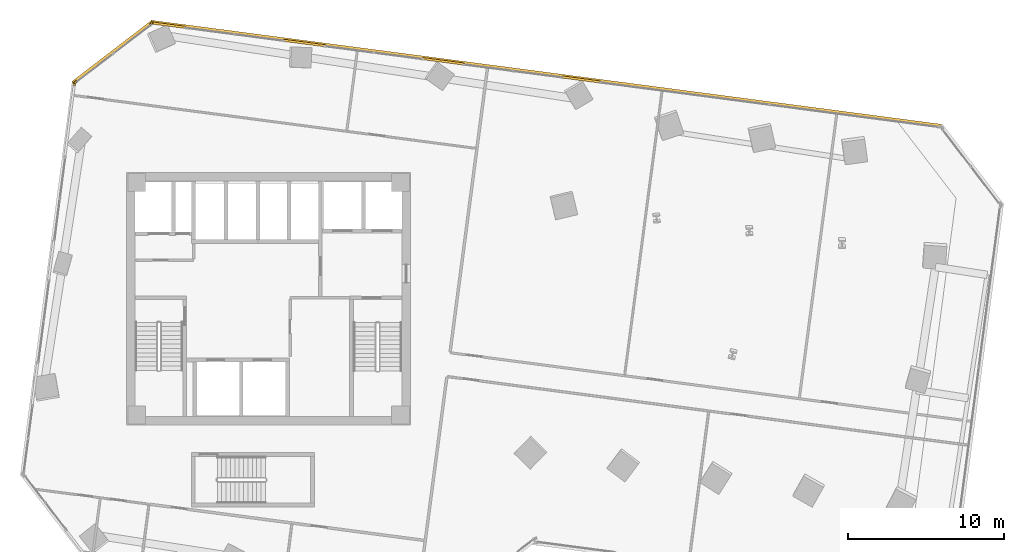
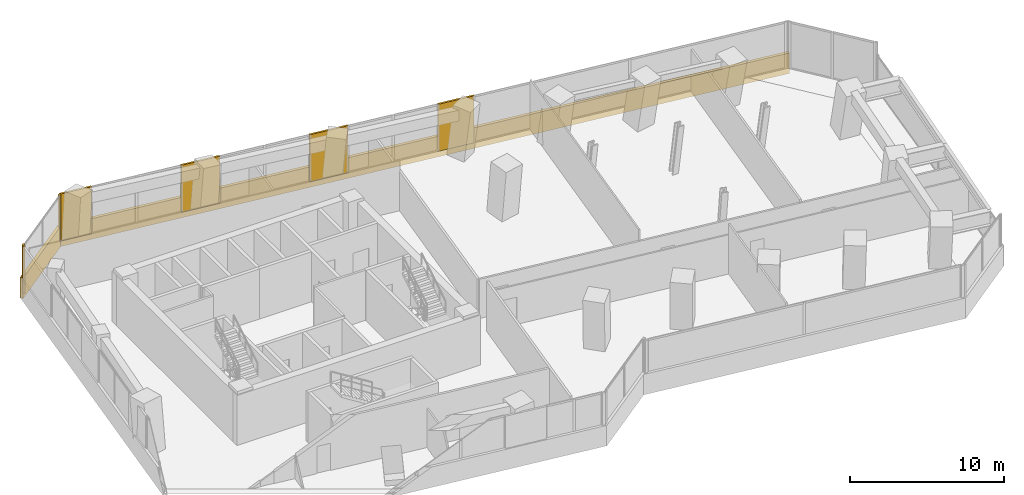
# One storey, part 24 of 24: 9 coverings.
"""IFC4 building model written with IfcOpenShell, lengths in metres."""

import ifcopenshell
import ifcopenshell.guid

model = None  # the IFC model being written
_history = None  # IfcOwnerHistory: only IFC2X3 demands one
_inside = {}  # id of a spatial element -> (the spatial element, [elements in it])
_under = {}  # id of a project, library or spatial element -> (it, [spatial elements below it])
_declared = {}  # id of a project -> (the project, [libraries it declares])
_typed = {}  # id of a type object -> (the type object, [elements of that type])
_made_of = {}  # id of a material, layer set ... -> (it, [elements and type objects made of it])


def new_model(schema):
    """Start an empty IFC model of exactly this schema.

    Asked for "IFC4X3", IfcOpenShell would pick the latest addendum, in which some entities
    have other attributes; the version numbers below select the first issue.
    IFC2X3 requires an IfcOwnerHistory on every rooted entity: one is made here for all.
    """
    global model, _history
    if schema == "IFC4X3":
        model = ifcopenshell.file(schema_version=(4, 3, 0, 0))
    else:
        model = ifcopenshell.file(schema=schema)
    _inside.clear()
    _under.clear()
    _declared.clear()
    _typed.clear()
    _made_of.clear()
    _history = None
    if model.schema == "IFC2X3":
        org = make("IfcOrganization", Name="unknown")
        user = make(
            "IfcPersonAndOrganization",
            ThePerson=make("IfcPerson", FamilyName="unknown"),
            TheOrganization=org,
        )
        app = make(
            "IfcApplication",
            ApplicationDeveloper=org,
            Version="unknown",
            ApplicationFullName="unknown",
            ApplicationIdentifier="unknown",
        )
        _history = make(
            "IfcOwnerHistory",
            OwningUser=user,
            OwningApplication=app,
            ChangeAction="ADDED",
            CreationDate=0,
        )
    return model


def make(cls, **values):
    """One entity of the class cls with the attributes given. An attribute that is None is left unset."""
    return model.create_entity(
        cls, **{name: value for name, value in values.items() if value is not None}
    )


def rooted(cls, **values):
    """An entity with a GlobalId (a new one), such as an element, a storey or a relation."""
    return make(cls, GlobalId=ifcopenshell.guid.new(), OwnerHistory=_history, **values)


def si_unit(unit_type, name, prefix=None):
    """IfcSIUnit, for example si_unit("LENGTHUNIT", "METRE", prefix="MILLI")."""
    return make("IfcSIUnit", UnitType=unit_type, Prefix=prefix, Name=name)


def assignment(units):
    """IfcUnitAssignment: the units of a project."""
    return None if units is None else make("IfcUnitAssignment", Units=units)


def point(xyz):
    """IfcCartesianPoint."""
    return None if xyz is None else make("IfcCartesianPoint", Coordinates=xyz)


def direction(xyz):
    """IfcDirection."""
    return None if xyz is None else make("IfcDirection", DirectionRatios=xyz)


def frame(location, z_axis=None, x_axis=None):
    """IfcAxis2Placement3D, a coordinate frame: its origin and axes. An axis left out is left unset."""
    return make(
        "IfcAxis2Placement3D",
        Location=point(location),
        Axis=direction(z_axis),
        RefDirection=direction(x_axis),
    )


def frame_2d(location, x_axis=None):
    """IfcAxis2Placement2D, a coordinate frame in the plane: its origin and x axis."""
    return make(
        "IfcAxis2Placement2D", Location=point(location), RefDirection=direction(x_axis)
    )


def origin():
    """The frame at (0, 0, 0) with its axes left unset."""
    return frame((0.0, 0.0, 0.0))


def origin_2d():
    """The frame at (0, 0) in the plane with its x axis left unset."""
    return frame_2d((0.0, 0.0))


def place(relative_to, where):
    """IfcLocalPlacement: puts the frame where relative to a parent placement (None: the world)."""
    return make(
        "IfcLocalPlacement", PlacementRelTo=relative_to, RelativePlacement=where
    )


def context(
    kind, dimensions, precision=None, world=None, true_north=None, identifier=None
):
    """IfcGeometricRepresentationContext, for example the 3D "Model" context."""
    return make(
        "IfcGeometricRepresentationContext",
        ContextIdentifier=identifier,
        ContextType=kind,
        CoordinateSpaceDimension=dimensions,
        Precision=precision,
        WorldCoordinateSystem=world,
        TrueNorth=true_north,
    )


def subcontext(parent, identifier, kind, view, scale=None):
    """IfcGeometricRepresentationSubContext, for example "Body" below "Model"."""
    return make(
        "IfcGeometricRepresentationSubContext",
        ContextIdentifier=identifier,
        ContextType=kind,
        ParentContext=parent,
        TargetScale=scale,
        TargetView=view,
    )


def project(units=None, contexts=None):
    """IfcProject with its units and contexts."""
    return rooted(
        "IfcProject",
        Name="project",
        RepresentationContexts=contexts,
        UnitsInContext=assignment(units),
    )


def spatial(cls, under=None, at=None, **own):
    """A site, building, storey or space (cls), placed at a placement, below another one or the project."""
    s = rooted(cls, ObjectPlacement=at, **own)
    if under is not None:
        _under.setdefault(under.id(), (under, []))[1].append(s)
    return s


def profile(cls, at=None, kind="AREA", **sizes):
    """A parametric profile (cls). Its sizes go by their IFC names, for example OverallWidth=200.0."""
    return make(cls, ProfileType=kind, Position=at, **sizes)


def rectangle(**sizes):
    """IfcRectangleProfileDef."""
    return profile("IfcRectangleProfileDef", **sizes)


def extrude(swept, where, along, depth):
    """IfcExtrudedAreaSolid: the profile swept, set in the frame where, extruded along a direction by depth."""
    return make(
        "IfcExtrudedAreaSolid",
        SweptArea=swept,
        Position=where,
        ExtrudedDirection=direction(along),
        Depth=depth,
    )


def shape(context_of_items, identifier, shape_type, items):
    """IfcShapeRepresentation: the items that make up one representation, for example the "Body"."""
    return make(
        "IfcShapeRepresentation",
        ContextOfItems=context_of_items,
        RepresentationIdentifier=identifier,
        RepresentationType=shape_type,
        Items=items,
    )


def source(mapping_origin, context_of_items, identifier, shape_type, items):
    """IfcRepresentationMap: a shape defined once, which mapped items show again and again."""
    return make(
        "IfcRepresentationMap",
        MappingOrigin=mapping_origin,
        MappedRepresentation=shape(context_of_items, identifier, shape_type, items),
    )


def transform(
    local_origin,
    x_axis=None,
    y_axis=None,
    z_axis=None,
    scale=None,
    scale2=None,
    scale3=None,
    uniform=True,
):
    """IfcCartesianTransformationOperator3D, or its non-uniform kind. x_axis, y_axis, z_axis: its Axis1, 2, 3."""
    if uniform:
        return make(
            "IfcCartesianTransformationOperator3D",
            Axis1=direction(x_axis),
            Axis2=direction(y_axis),
            LocalOrigin=point(local_origin),
            Scale=scale,
            Axis3=direction(z_axis),
        )
    return make(
        "IfcCartesianTransformationOperator3DnonUniform",
        Axis1=direction(x_axis),
        Axis2=direction(y_axis),
        LocalOrigin=point(local_origin),
        Scale=scale,
        Axis3=direction(z_axis),
        Scale2=scale2,
        Scale3=scale3,
    )


def mapped(mapping_source, mapping_target):
    """IfcMappedItem: shows the shape of a source again, moved by a transform."""
    return make(
        "IfcMappedItem", MappingSource=mapping_source, MappingTarget=mapping_target
    )


def material(Name=None, Category=None):
    """IfcMaterial."""
    return make("IfcMaterial", Name=Name, Category=Category)


def layer(
    of_material, thickness, ventilated=None, Name=None, Category=None, Priority=None
):
    """IfcMaterialLayer: one layer of a wall or slab, of a material (None: an air gap)."""
    return make(
        "IfcMaterialLayer",
        Material=of_material,
        LayerThickness=thickness,
        IsVentilated=ventilated,
        Name=Name,
        Category=Category,
        Priority=Priority,
    )


def layer_set(layers, Name=None):
    """IfcMaterialLayerSet."""
    return make("IfcMaterialLayerSet", MaterialLayers=layers, LayerSetName=Name)


def made_of(thing, what):
    """Note that an element or type object is made of a material, layer set ...; save() writes the relation."""
    if what is not None:
        _made_of.setdefault(what.id(), (what, []))[1].append(thing)
    return thing


def type_object(cls, material=None, **own):
    """A type object (cls), such as IfcWallType, which elements share."""
    return made_of(rooted(cls, **own), material)


def element(
    cls,
    number,
    at=None,
    inside=None,
    cuts=None,
    type_object=None,
    material=None,
    context=None,
    identifier="Body",
    shape_type=None,
    held_by="IfcProductDefinitionShape",
    body=None,
    shapes=None,
    **own,
):
    """One element of the class cls, such as IfcWall. Its Tag is "e" and its number.

    at: its placement. inside: the storey or other place that contains it. cuts: it is an
    opening in that element (IfcRelVoidsElement). A single representation is given by context,
    identifier, shape_type and body (its items); several are given by shapes. held_by: the class
    of the entity that holds the representations. save() writes the other relations.
    """
    e = rooted(cls, Tag="e%d" % number, ObjectPlacement=at, **own)
    if body is not None:
        shapes = [shape(context, identifier, shape_type, body)]
    if shapes is not None:
        e.Representation = make(held_by, Representations=shapes)
    if inside is not None:
        _inside.setdefault(inside.id(), (inside, []))[1].append(e)
    if cuts is not None:
        rooted(
            "IfcRelVoidsElement", RelatingBuildingElement=cuts, RelatedOpeningElement=e
        )
    if type_object is not None:
        _typed.setdefault(type_object.id(), (type_object, []))[1].append(e)
    return made_of(e, material)


def aggregate(whole, parts):
    """IfcRelAggregates: a whole, such as a stair, and the parts it consists of."""
    return rooted("IfcRelAggregates", RelatingObject=whole, RelatedObjects=parts)


def save(model, path):
    """Write the relations noted so far, then the file.

    IfcRelAggregates (storeys below a building ...), IfcRelContainedInSpatialStructure (elements
    in a storey), IfcRelDefinesByType, IfcRelAssociatesMaterial and IfcRelDeclares: one each for
    every whole, place, type object, material and project.
    """
    for whole, parts in _under.values():
        aggregate(whole, parts)
    for where, things in _inside.values():
        rooted(
            "IfcRelContainedInSpatialStructure",
            RelatedElements=things,
            RelatingStructure=where,
        )
    for kind, things in _typed.values():
        rooted("IfcRelDefinesByType", RelatedObjects=things, RelatingType=kind)
    for what, things in _made_of.values():
        rooted("IfcRelAssociatesMaterial", RelatedObjects=things, RelatingMaterial=what)
    for by, libraries in _declared.values():
        rooted("IfcRelDeclares", RelatingContext=by, RelatedDefinitions=libraries)
    model.write(path)


model = new_model("IFC4")

# Units and contexts
model_context = context("Model", 3, precision=1e-05, world=origin(), true_north=direction((0.0, 1.0)))
body_context = subcontext(model_context, "Body", "Model", "MODEL_VIEW")
ifc_project = project(units=[si_unit("LENGTHUNIT", "METRE"), si_unit("AREAUNIT", "SQUARE_METRE"), si_unit("VOLUMEUNIT", "CUBIC_METRE"), si_unit("PLANEANGLEUNIT", "RADIAN"), si_unit("MASSUNIT", "GRAM", prefix="KILO")], contexts=[model_context])

# Site, building, storey
site_placement = place(None, origin())
site = spatial("IfcSite", under=ifc_project, at=site_placement, CompositionType="ELEMENT")
building_placement = place(site_placement, origin())
building = spatial("IfcBuilding", under=site, at=building_placement, Name="Torre Montelarca", CompositionType="ELEMENT")
storey_placement = place(building_placement, frame((0.0, 0.0, 66.39990234375)))
storey = spatial("IfcBuildingStorey", under=building, at=storey_placement, Name="L14", CompositionType="ELEMENT", Elevation=66.39990234375)

# Coverings
ifc_material = material(Name="Bush-hammered warm white precast concrete C45/55", Category="concrete")
ifc_layer = layer(ifc_material, 0.139892578125, Name="Bush-hammered warm white precast concrete C45/55", Category="concrete")
ifc_layer_set = layer_set([ifc_layer], Name="Bush-hammered warm white precast concrete C45/55")
covering_type = type_object("IfcCoveringType", Name="COV-TRAY-CLAD", PredefinedType="CLADDING", material=ifc_layer_set)
shared_shape_1 = source(origin(), body_context, "Body", "SweptSolid", [
    extrude(rectangle(XDim=6.48388671875, YDim=0.219970703125, at=origin_2d()), origin(), (0.0, 0.0, 1.0), 1.6201171875),
])
covering_1_placement = place(storey_placement, frame((8.021240234375, 47.823486328125, -0.449951171875), z_axis=(0.0, 0.0, 1.0), x_axis=(-0.793350152813, -0.608765582989, 0.0)))
element("IfcCovering", 1, at=covering_1_placement, inside=storey, type_object=covering_type, Name="L14 Architectural White Spandrel Tray Band TRYBOT-09", PredefinedType="CLADDING", context=body_context, shape_type="MappedRepresentation", body=[
    mapped(shared_shape_1, transform((0.0, 0.0, 0.0), scale=1.0)),
])
shared_shape_2 = source(origin(), body_context, "Body", "SweptSolid", [
    extrude(rectangle(XDim=51.219970703125, YDim=0.219970703125, at=origin_2d()), origin(), (0.0, 0.0, 1.0), 1.6201171875),
])
covering_2_placement = place(storey_placement, frame((35.85498046875, 46.419677734375, -0.449951171875), z_axis=(0.0, 0.0, 1.0), x_axis=(-0.991444861374, 0.13052619222, 0.0)))
element("IfcCovering", 2, at=covering_2_placement, inside=storey, type_object=covering_type, Name="L14 Architectural White Spandrel Tray Band TRYBOT-08", PredefinedType="CLADDING", context=body_context, shape_type="MappedRepresentation", body=[
    mapped(shared_shape_2, transform((0.0, 0.0, 0.0), scale=1.0)),
])
shared_shape_3 = source(origin(), body_context, "Body", "SweptSolid", [
    extrude(rectangle(XDim=0.199951171875, YDim=0.139892578125, at=origin_2d()), origin(), (0.0, 0.0, 1.0), 3.719970703125),
])
for number, where, z_axis, x_axis, name in (
    (3, (10.490478515625, 49.642578125, 0.0), (0.0, 0.0, 1.0), (-0.793343777791, -0.608773890899, 0.0), "L14 Architectural Column Pier Cladding E09-1"),
    (4, (5.625244140625, 45.9091796875, 0.0), (0.0, 0.0, 1.0), (-0.793343777791, -0.608773890899, 0.0), "L14 Architectural Column Pier Cladding E09-2"),
    (5, (5.552734375, 45.783447265625, 0.0), (0.0, 0.0, 1.0), (-0.130527922618, -0.991444633561, 0.0), "L14 Architectural Column Pier Cladding E10-1"),
):
    element("IfcCovering", number, at=place(storey_placement, frame(where, z_axis=z_axis, x_axis=x_axis)), inside=storey, type_object=covering_type, Name=name, PredefinedType="CLADDING", context=body_context, shape_type="MappedRepresentation", body=[
        mapped(shared_shape_3, transform((0.0, 0.0, 0.0), scale=1.0)),
    ])
shared_shape_4 = source(origin(), body_context, "Body", "SweptSolid", [
    extrude(rectangle(XDim=2.5234375, YDim=0.139892578125, at=origin_2d()), origin(), (0.0, 0.0, 1.0), 3.719970703125),
])
covering_3_placement = place(storey_placement, frame((38.059814453125, 46.06884765625, 0.0), z_axis=(0.0, 0.0, 1.0), x_axis=(-0.991444861374, 0.13052619222, 0.0)))
element("IfcCovering", 6, at=covering_3_placement, inside=storey, type_object=covering_type, Name="L14 Architectural Column Pier Cladding E08-2", PredefinedType="CLADDING", context=body_context, shape_type="MappedRepresentation", body=[
    mapped(shared_shape_4, transform((0.0, 0.0, 0.0), scale=1.0)),
])
shared_shape_5 = source(origin(), body_context, "Body", "SweptSolid", [
    extrude(rectangle(XDim=2.689208984375, YDim=0.139892578125, at=origin_2d()), origin(), (0.0, 0.0, 1.0), 3.719970703125),
])
covering_4_placement = place(storey_placement, frame((29.218994140625, 47.23291015625, 0.0), z_axis=(0.0, 0.0, 1.0), x_axis=(-0.991444861374, 0.13052619222, 0.0)))
element("IfcCovering", 7, at=covering_4_placement, inside=storey, type_object=covering_type, Name="L14 Architectural Column Pier Cladding E08-3", PredefinedType="CLADDING", context=body_context, shape_type="MappedRepresentation", body=[
    mapped(shared_shape_5, transform((0.0, 0.0, 0.0), scale=1.0)),
])
shared_shape_6 = source(origin(), body_context, "Body", "SweptSolid", [
    extrude(rectangle(XDim=2.69140625, YDim=0.139892578125, at=origin_2d()), origin(), (0.0, 0.0, 1.0), 3.719970703125),
])
covering_5_placement = place(storey_placement, frame((20.297119140625, 48.407470703125, 0.0), z_axis=(0.0, 0.0, 1.0), x_axis=(-0.991444861374, 0.13052619222, 0.0)))
element("IfcCovering", 8, at=covering_5_placement, inside=storey, type_object=covering_type, Name="L14 Architectural Column Pier Cladding E08-4", PredefinedType="CLADDING", context=body_context, shape_type="MappedRepresentation", body=[
    mapped(shared_shape_6, transform((0.0, 0.0, 0.0), scale=1.0)),
])
shared_shape_7 = source(origin(), body_context, "Body", "SweptSolid", [
    extrude(rectangle(XDim=2.197509765625, YDim=0.139892578125, at=origin_2d()), origin(), (0.0, 0.0, 1.0), 3.719970703125),
])
covering_6_placement = place(storey_placement, frame((11.620849609375, 49.5498046875, 0.0), z_axis=(0.0, 0.0, 1.0), x_axis=(-0.991444861374, 0.13052619222, 0.0)))
element("IfcCovering", 9, at=covering_6_placement, inside=storey, type_object=covering_type, Name="L14 Architectural Column Pier Cladding E08-5", PredefinedType="CLADDING", context=body_context, shape_type="MappedRepresentation", body=[
    mapped(shared_shape_7, transform((0.0, 0.0, 0.0), scale=1.0)),
])

save(model, "model.ifc")
